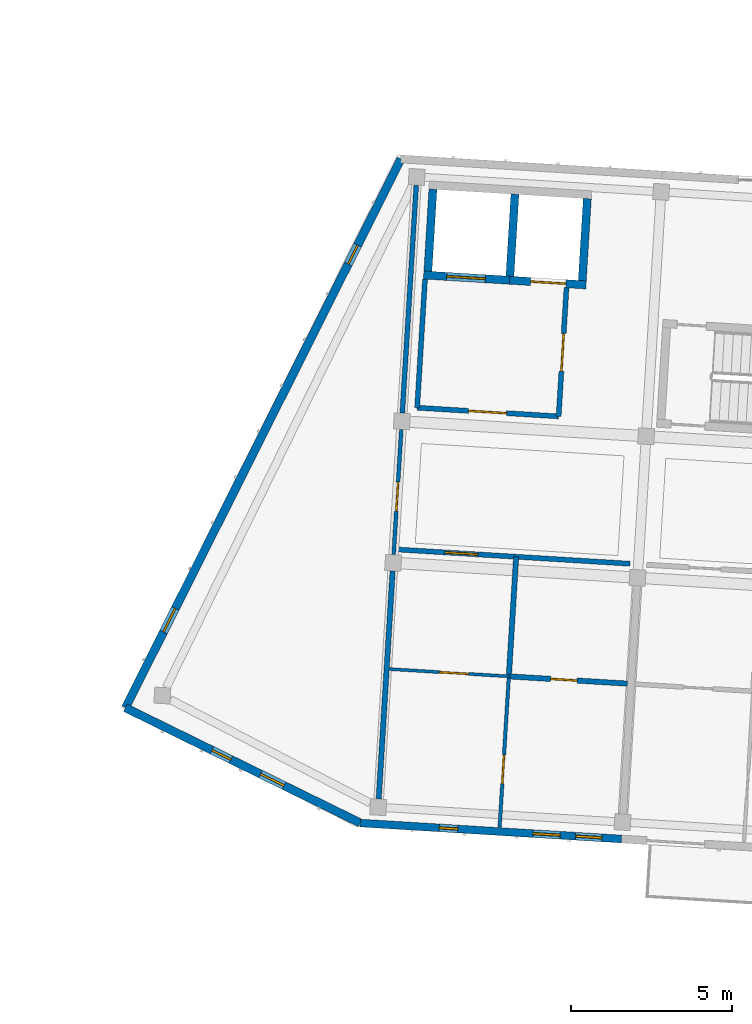
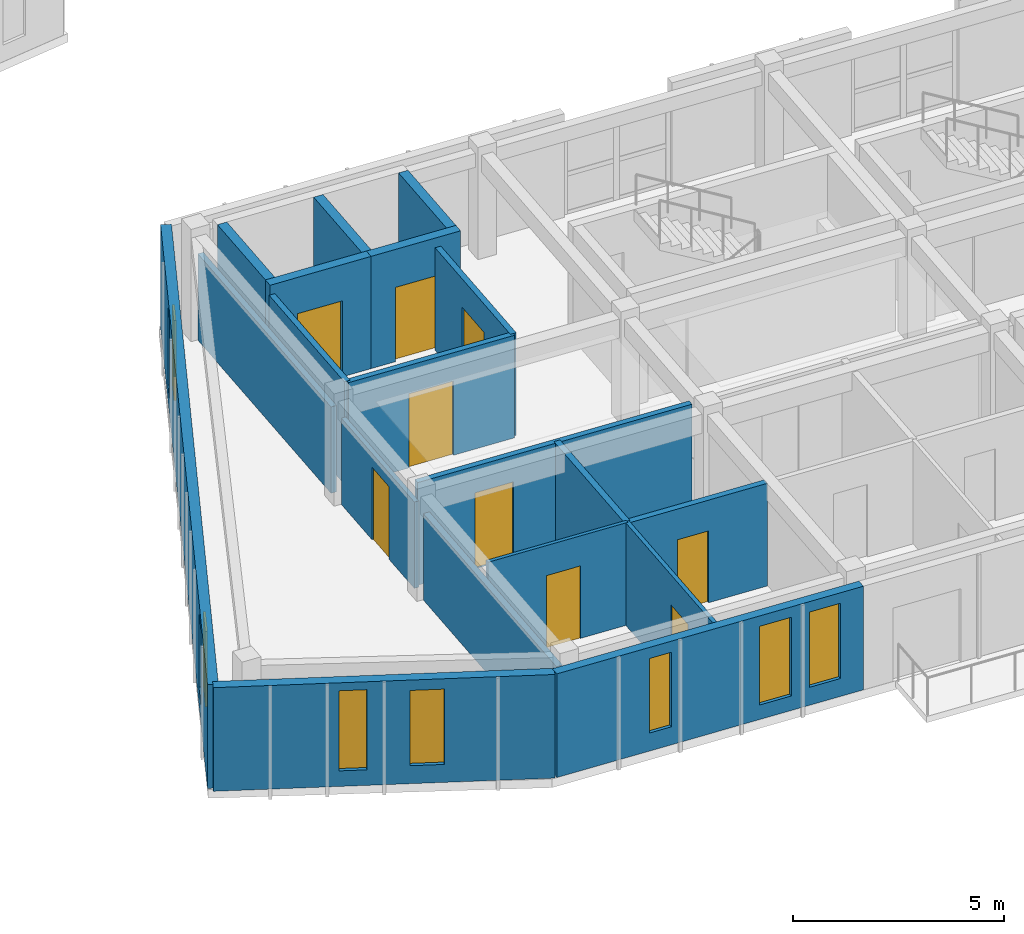
# One storey, part 20 of 68: 19 walls, 9 doors, 7 windows, 16 openings.
"""IFC4 building model written with IfcOpenShell, lengths in metres."""

from ifc_helpers import new_model, si_unit, direction, frame, frame_2d, origin, place, context, subcontext, project, spatial, rectangle, extrude, material, layer, layer_set, type_object, element, fill, save


model = new_model("IFC4")

# Units and contexts
model_context = context("Model", 3, precision=1e-05, world=origin(), true_north=direction((0.0, 1.0)))
body_context = subcontext(model_context, "Body", "Model", "MODEL_VIEW")
ifc_project = project(units=[si_unit("LENGTHUNIT", "METRE"), si_unit("AREAUNIT", "SQUARE_METRE"), si_unit("VOLUMEUNIT", "CUBIC_METRE"), si_unit("PLANEANGLEUNIT", "RADIAN"), si_unit("MASSUNIT", "GRAM", prefix="KILO")], contexts=[model_context])

# Site, building, storey
site_placement = place(None, origin())
site = spatial("IfcSite", under=ifc_project, at=site_placement, CompositionType="ELEMENT")
building_placement = place(site_placement, origin())
building = spatial("IfcBuilding", under=site, at=building_placement, Name="Kestramere Prow Commons", CompositionType="ELEMENT")
storey_placement = place(building_placement, frame((0.0, 0.0, 18.14990234375)))
storey = spatial("IfcBuildingStorey", under=building, at=storey_placement, Name="L05", CompositionType="ELEMENT", Elevation=18.14990234375)

# Wall, openings, windows
ifc_material_1 = material(Name="Weathered Zinc-Titanium Standing-Seam Cladding")
ifc_layer_1 = layer(ifc_material_1, 0.260009765625)
ifc_layer_set_1 = layer_set([ifc_layer_1], Name="Weathered Zinc-Titanium Standing-Seam Cladding")
wall_type_1 = type_object("IfcWallType", Name="EW-PROW-260", PredefinedType="SOLIDWALL", material=ifc_layer_set_1)
wall_1_placement = place(storey_placement, frame((58.94384765625, 46.008056640625, 0.0), z_axis=(0.0, 0.0, 1.0), x_axis=(-0.897775054318, 0.440454256246, 0.0)))
wall_1 = element("IfcWall", 1, at=wall_1_placement, inside=storey, type_object=wall_type_1, Name="Block C L05 PRW-S Facet Wall", PredefinedType="SOLIDWALL", context=body_context, shape_type="SweptSolid", body=[
    extrude(rectangle(XDim=8.120361328125, YDim=0.260009765625, at=frame_2d((4.06005859375, 0.0))), origin(), (0.0, 0.0, 1.0), 3.0),
])
opening_1_placement = place(wall_1_placement, frame((2.6298828125, 0.0, 0.52001953125)))
opening_1 = element("IfcOpeningElement", 2, at=opening_1_placement, cuts=wall_1, Name="Opening WN-13", PredefinedType="OPENING", context=body_context, shape_type="SweptSolid", body=[
    extrude(rectangle(XDim=0.820068359375, YDim=2.179931640625, at=frame_2d((0.41015625, 1.08984375))), frame((0.0, 0.14501953125, 0.0), z_axis=(0.0, -1.0, 0.0), x_axis=(1.0, 0.0, 0.0)), (0.0, 0.0, 1.0), 0.2900390625),
])
opening_2_placement = place(wall_1_placement, frame((4.470458984375, 0.0, 0.449951171875)))
opening_2 = element("IfcOpeningElement", 3, at=opening_2_placement, cuts=wall_1, Name="Opening WN-05", PredefinedType="OPENING", context=body_context, shape_type="SweptSolid", body=[
    extrude(rectangle(XDim=0.659912109375, YDim=2.320068359375, at=frame_2d((0.330078125, 1.16015625))), frame((0.0, 0.14501953125, 0.0), z_axis=(0.0, -1.0, 0.0), x_axis=(1.0, 0.0, 0.0)), (0.0, 0.0, 1.0), 0.2900390625),
])
ifc_material_2 = material(Name="Low-E Laminated Double Glazing", Category="glass")
window_type_1 = type_object("IfcWindowType", Name="WN-NAR-660A", PartitioningType="SINGLE_PANEL", PredefinedType="WINDOW", material=ifc_material_2)
window_1_placement = place(opening_2_placement, origin())
window_1 = element("IfcWindow", 4, at=window_1_placement, inside=storey, type_object=window_type_1, Name="WN-C-L05-PRW-S-1", OverallHeight=2.320068359375, OverallWidth=0.659912109375, PartitioningType="SINGLE_PANEL", PredefinedType="WINDOW", context=body_context, shape_type="SweptSolid", body=[
    extrude(rectangle(XDim=0.659912109375, YDim=2.320068359375, at=frame_2d((0.330078125, 1.16015625))), frame((0.0, 0.030029296875, 0.0), z_axis=(0.0, -1.0, 0.0), x_axis=(1.0, 0.0, 0.0)), (0.0, 0.0, 1.0), 0.06005859375),
])
fill(opening_2, window_1)
window_type_2 = type_object("IfcWindowType", Name="WN-NAR-820A", PartitioningType="DOUBLE_PANEL_VERTICAL", PredefinedType="WINDOW", material=ifc_material_2)
window_2_placement = place(opening_1_placement, origin())
window_2 = element("IfcWindow", 5, at=window_2_placement, inside=storey, type_object=window_type_2, Name="WN-C-L05-PRW-S-0", OverallHeight=2.179931640625, OverallWidth=0.820068359375, PartitioningType="SINGLE_PANEL", PredefinedType="WINDOW", context=body_context, shape_type="SweptSolid", body=[
    extrude(rectangle(XDim=0.820068359375, YDim=2.179931640625, at=frame_2d((0.41015625, 1.08984375))), frame((0.0, 0.030029296875, 0.0), z_axis=(0.0, -1.0, 0.0), x_axis=(1.0, 0.0, 0.0)), (0.0, 0.0, 1.0), 0.06005859375),
])
fill(opening_1, window_2)

wall_2_placement = place(storey_placement, frame((51.653564453125, 49.584716796875, 0.0), z_axis=(0.0, 0.0, 1.0), x_axis=(0.448621989068, 0.893721607059, 0.0)))
wall_2 = element("IfcWall", 6, at=wall_2_placement, inside=storey, type_object=wall_type_1, Name="Block C L05 PRW-N Facet Wall", PredefinedType="SOLIDWALL", context=body_context, shape_type="SweptSolid", body=[
    extrude(rectangle(XDim=19.060546875, YDim=0.260009765625, at=frame_2d((9.5302734375, 0.0))), origin(), (0.0, 0.0, 1.0), 3.0),
])
opening_3_placement = place(wall_2_placement, frame((2.6298828125, 0.0, 0.52001953125)))
opening_3 = element("IfcOpeningElement", 7, at=opening_3_placement, cuts=wall_2, Name="Opening WN-13", PredefinedType="OPENING", context=body_context, shape_type="SweptSolid", body=[
    extrude(rectangle(XDim=0.820068359375, YDim=2.179931640625, at=frame_2d((0.41015625, 1.08984375))), frame((0.0, 0.14501953125, 0.0), z_axis=(0.0, -1.0, 0.0), x_axis=(1.0, 0.0, 0.0)), (0.0, 0.0, 1.0), 0.2900390625),
])
opening_4_placement = place(wall_2_placement, frame((15.410400390625, 0.0, 0.449951171875)))
opening_4 = element("IfcOpeningElement", 8, at=opening_4_placement, cuts=wall_2, Name="Opening WN-05", PredefinedType="OPENING", context=body_context, shape_type="SweptSolid", body=[
    extrude(rectangle(XDim=0.659912109375, YDim=2.320068359375, at=frame_2d((0.330078125, 1.16015625))), frame((0.0, 0.14501953125, 0.0), z_axis=(0.0, -1.0, 0.0), x_axis=(1.0, 0.0, 0.0)), (0.0, 0.0, 1.0), 0.2900390625),
])
window_3_placement = place(opening_4_placement, origin())
window_3 = element("IfcWindow", 9, at=window_3_placement, inside=storey, type_object=window_type_1, Name="WN-C-L05-PRW-N-1", OverallHeight=2.320068359375, OverallWidth=0.659912109375, PartitioningType="SINGLE_PANEL", PredefinedType="WINDOW", context=body_context, shape_type="SweptSolid", body=[
    extrude(rectangle(XDim=0.659912109375, YDim=2.320068359375, at=frame_2d((0.330078125, 1.16015625))), frame((0.0, 0.030029296875, 0.0), z_axis=(0.0, -1.0, 0.0), x_axis=(1.0, 0.0, 0.0)), (0.0, 0.0, 1.0), 0.06005859375),
])
fill(opening_4, window_3)
window_4_placement = place(opening_3_placement, origin())
window_4 = element("IfcWindow", 10, at=window_4_placement, inside=storey, type_object=window_type_2, Name="WN-C-L05-PRW-N-0", OverallHeight=2.179931640625, OverallWidth=0.820068359375, PartitioningType="SINGLE_PANEL", PredefinedType="WINDOW", context=body_context, shape_type="SweptSolid", body=[
    extrude(rectangle(XDim=0.820068359375, YDim=2.179931640625, at=frame_2d((0.41015625, 1.08984375))), frame((0.0, 0.030029296875, 0.0), z_axis=(0.0, -1.0, 0.0), x_axis=(1.0, 0.0, 0.0)), (0.0, 0.0, 1.0), 0.06005859375),
])
fill(opening_3, window_4)

ifc_material_3 = material(Name="Fluoropolymer Standing-Seam Zinc-Aluminium Cladding", Category="aluminium")
ifc_layer_2 = layer(ifc_material_3, 0.239990234375)
ifc_layer_set_2 = layer_set([ifc_layer_2], Name="Fluoropolymer Standing-Seam Zinc-Aluminium Cladding")
wall_type_2 = type_object("IfcWallType", Name="EW-SEAM-240", PredefinedType="SOLIDWALL", material=ifc_layer_set_2)
wall_3_placement = place(storey_placement, frame((67.0537109375, 45.511962890625, 0.0), z_axis=(0.0, 0.0, 1.0), x_axis=(-0.998134248939, 0.061057522844, 0.0)))
wall_3 = element("IfcWall", 11, at=wall_3_placement, inside=storey, type_object=wall_type_2, Name="Block C L05 South Standing-Seam Wall 1", PredefinedType="SOLIDWALL", context=body_context, shape_type="SweptSolid", body=[
    extrude(rectangle(XDim=8.125, YDim=0.239990234375, at=frame_2d((4.0625, 0.0))), origin(), (0.0, 0.0, 1.0), 3.0),
])
opening_5_placement = place(wall_3_placement, frame((0.610107421875, 0.0, 0.52001953125)))
opening_5 = element("IfcOpeningElement", 12, at=opening_5_placement, cuts=wall_3, Name="Opening WN-13", PredefinedType="OPENING", context=body_context, shape_type="SweptSolid", body=[
    extrude(rectangle(XDim=0.820068359375, YDim=2.179931640625, at=frame_2d((0.41015625, 1.08984375))), frame((0.0, 0.135009765625, 0.0), z_axis=(0.0, -1.0, 0.0), x_axis=(1.0, 0.0, 0.0)), (0.0, 0.0, 1.0), 0.27001953125),
])
opening_6_placement = place(wall_3_placement, frame((1.912109375, 0.0, 0.419921875)))
opening_6 = element("IfcOpeningElement", 13, at=opening_6_placement, cuts=wall_3, Name="Opening WN-14", PredefinedType="OPENING", context=body_context, shape_type="SweptSolid", body=[
    extrude(rectangle(XDim=0.840087890625, YDim=2.280029296875, at=frame_2d((0.419921875, 1.14013671875))), frame((0.0, 0.135009765625, 0.0), z_axis=(0.0, -1.0, 0.0), x_axis=(1.0, 0.0, 0.0)), (0.0, 0.0, 1.0), 0.27001953125),
])
opening_7_placement = place(wall_3_placement, frame((5.0908203125, 0.0, 0.52001953125)))
opening_7 = element("IfcOpeningElement", 14, at=opening_7_placement, cuts=wall_3, Name="Opening WN-01", PredefinedType="OPENING", context=body_context, shape_type="SweptSolid", body=[
    extrude(rectangle(XDim=0.580078125, YDim=2.159912109375, at=frame_2d((0.2900390625, 1.080078125))), frame((0.0, 0.135009765625, 0.0), z_axis=(0.0, -1.0, 0.0), x_axis=(1.0, 0.0, 0.0)), (0.0, 0.0, 1.0), 0.27001953125),
])
window_type_3 = type_object("IfcWindowType", Name="WN-NAR-580A", PartitioningType="SINGLE_PANEL", PredefinedType="WINDOW", material=ifc_material_2)
window_5_placement = place(opening_7_placement, origin())
window_5 = element("IfcWindow", 15, at=window_5_placement, inside=storey, type_object=window_type_3, Name="WN-C-L05-S-0-10", OverallHeight=2.159912109375, OverallWidth=0.580078125, PartitioningType="SINGLE_PANEL", PredefinedType="WINDOW", context=body_context, shape_type="SweptSolid", body=[
    extrude(rectangle(XDim=0.580078125, YDim=2.159912109375, at=frame_2d((0.2900390625, 1.080078125))), frame((0.0, 0.030029296875, 0.0), z_axis=(0.0, -1.0, 0.0), x_axis=(1.0, 0.0, 0.0)), (0.0, 0.0, 1.0), 0.06005859375),
])
fill(opening_7, window_5)
window_6_placement = place(opening_5_placement, origin())
window_6 = element("IfcWindow", 16, at=window_6_placement, inside=storey, type_object=window_type_2, Name="WN-C-L05-S-0-00", OverallHeight=2.179931640625, OverallWidth=0.820068359375, PartitioningType="SINGLE_PANEL", PredefinedType="WINDOW", context=body_context, shape_type="SweptSolid", body=[
    extrude(rectangle(XDim=0.820068359375, YDim=2.179931640625, at=frame_2d((0.41015625, 1.08984375))), frame((0.0, 0.030029296875, 0.0), z_axis=(0.0, -1.0, 0.0), x_axis=(1.0, 0.0, 0.0)), (0.0, 0.0, 1.0), 0.06005859375),
])
fill(opening_5, window_6)
window_type_4 = type_object("IfcWindowType", Name="WN-NAR-840A", PartitioningType="DOUBLE_PANEL_VERTICAL", PredefinedType="WINDOW", material=ifc_material_2)
window_7_placement = place(opening_6_placement, origin())
window_7 = element("IfcWindow", 17, at=window_7_placement, inside=storey, type_object=window_type_4, Name="WN-C-L05-S-0-01", OverallHeight=2.280029296875, OverallWidth=0.840087890625, PartitioningType="SINGLE_PANEL", PredefinedType="WINDOW", context=body_context, shape_type="SweptSolid", body=[
    extrude(rectangle(XDim=0.840087890625, YDim=2.280029296875, at=frame_2d((0.419921875, 1.14013671875))), frame((0.0, 0.030029296875, 0.0), z_axis=(0.0, -1.0, 0.0), x_axis=(1.0, 0.0, 0.0)), (0.0, 0.0, 1.0), 0.06005859375),
])
fill(opening_6, window_7)

# Wall, opening, door
ifc_material_4 = material(Name="Concrete C40/50", Category="concrete")
ifc_layer_3 = layer(ifc_material_4, 0.25)
ifc_layer_set_3 = layer_set([ifc_layer_3], Name="Concrete C40/50")
wall_type_3 = type_object("IfcWallType", Name="W-CORE-250", PredefinedType="SHEAR", material=ifc_layer_set_3)
wall_4_placement = place(storey_placement, frame((60.9111328125, 63.019775390625, 0.0), z_axis=(0.0, 0.0, 1.0), x_axis=(0.998134099905, -0.061059959111, 0.0)))
wall_4 = element("IfcWall", 18, at=wall_4_placement, inside=storey, type_object=wall_type_3, Name="Block C L05 Fire Lift Shaft Front Wall", PredefinedType="SHEAR", context=body_context, shape_type="SweptSolid", body=[
    extrude(rectangle(XDim=2.6748046875, YDim=0.25, at=frame_2d((1.33740234375, 0.0))), origin(), (0.0, 0.0, 1.0), 3.25),
])
opening_8_placement = place(wall_4_placement, frame((0.719970703125, 0.0, 0.0)))
opening_8 = element("IfcOpeningElement", 19, at=opening_8_placement, cuts=wall_4, Name="Opening LD-02", PredefinedType="OPENING", context=body_context, shape_type="SweptSolid", body=[
    extrude(rectangle(XDim=1.199951171875, YDim=2.199951171875, at=frame_2d((0.60009765625, 1.10009765625))), frame((0.0, 0.139892578125, 0.0), z_axis=(0.0, -1.0, 0.0), x_axis=(1.0, 0.0, 0.0)), (0.0, 0.0, 1.0), 0.280029296875),
])
ifc_material_5 = material(Name="Brushed Stainless Steel 316", Category="steel")
door_type_1 = type_object("IfcDoorType", Name="LD-02", OperationType="DOUBLE_DOOR_SLIDING", PredefinedType="DOOR", material=ifc_material_5)
door_1_placement = place(opening_8_placement, origin())
door_1 = element("IfcDoor", 20, at=door_1_placement, inside=storey, type_object=door_type_1, Name="FL-C1 L05 Lift Landing Door", OperationType="DOUBLE_DOOR_SLIDING", OverallHeight=2.199951171875, OverallWidth=1.199951171875, PredefinedType="DOOR", context=body_context, shape_type="SweptSolid", body=[
    extrude(rectangle(XDim=1.199951171875, YDim=2.199951171875, at=frame_2d((0.60009765625, 1.10009765625))), frame((0.0, 0.02490234375, 0.0), z_axis=(0.0, -1.0, 0.0), x_axis=(1.0, 0.0, 0.0)), (0.0, 0.0, 1.0), 0.050048828125),
])
fill(opening_8, door_1)

wall_5_placement = place(storey_placement, frame((63.5810546875, 62.8564453125, 0.0), z_axis=(0.0, 0.0, 1.0), x_axis=(0.998134103342, -0.061059902923, 0.0)))
wall_5 = element("IfcWall", 21, at=wall_5_placement, inside=storey, type_object=wall_type_3, Name="Block C L05 Passenger Lift Shaft Front Wall", PredefinedType="SHEAR", context=body_context, shape_type="SweptSolid", body=[
    extrude(rectangle(XDim=2.375, YDim=0.25, at=frame_2d((1.1875, 0.0))), origin(), (0.0, 0.0, 1.0), 3.25),
])
opening_9_placement = place(wall_5_placement, frame((0.64990234375, 0.0, 0.0)))
opening_9 = element("IfcOpeningElement", 22, at=opening_9_placement, cuts=wall_5, Name="Opening LD-01", PredefinedType="OPENING", context=body_context, shape_type="SweptSolid", body=[
    extrude(rectangle(XDim=1.10009765625, YDim=2.14990234375, at=frame_2d((0.550048828125, 1.074951171875))), frame((0.0, 0.139892578125, 0.0), z_axis=(0.0, -1.0, 0.0), x_axis=(1.0, 0.0, 0.0)), (0.0, 0.0, 1.0), 0.280029296875),
])
ifc_material_6 = material(Name="Brushed Stainless Steel 304", Category="steel")
door_type_2 = type_object("IfcDoorType", Name="LD-01", OperationType="DOUBLE_DOOR_SLIDING", PredefinedType="DOOR", material=ifc_material_6)
door_2_placement = place(opening_9_placement, origin())
door_2 = element("IfcDoor", 23, at=door_2_placement, inside=storey, type_object=door_type_2, Name="PL-C2 L05 Lift Landing Door", OperationType="DOUBLE_DOOR_SLIDING", OverallHeight=2.14990234375, OverallWidth=1.10009765625, PredefinedType="DOOR", context=body_context, shape_type="SweptSolid", body=[
    extrude(rectangle(XDim=1.10009765625, YDim=2.14990234375, at=frame_2d((0.550048828125, 1.074951171875))), frame((0.0, 0.02490234375, 0.0), z_axis=(0.0, -1.0, 0.0), x_axis=(1.0, 0.0, 0.0)), (0.0, 0.0, 1.0), 0.050048828125),
])
fill(opening_9, door_2)

# Walls
wall_6_placement = place(storey_placement, frame((61.04345703125, 63.13671875, 0.0), z_axis=(0.0, 0.0, 1.0), x_axis=(0.061078919587, 0.998132939834, 0.0)))
element("IfcWall", 24, at=wall_6_placement, inside=storey, type_object=wall_type_3, Name="Block C L05 Lift Core Side Wall L", PredefinedType="SHEAR", context=body_context, shape_type="SweptSolid", body=[
    extrude(rectangle(XDim=2.55029296875, YDim=0.25, at=frame_2d((1.275146484375, 0.0))), origin(), (0.0, 0.0, 1.0), 3.25),
])
wall_7_placement = place(storey_placement, frame((63.5888671875, 62.981201171875, 0.0), z_axis=(0.0, 0.0, 1.0), x_axis=(0.060989368901, 0.998138415692, 0.0)))
element("IfcWall", 25, at=wall_7_placement, inside=storey, type_object=wall_type_3, Name="Block C L05 Lift Core Side Wall M", PredefinedType="SHEAR", context=body_context, shape_type="SweptSolid", body=[
    extrude(rectangle(XDim=2.5498046875, YDim=0.25, at=frame_2d((1.27490234375, 0.0))), origin(), (0.0, 0.0, 1.0), 3.25),
])
wall_8_placement = place(storey_placement, frame((65.83447265625, 62.84375, 0.0), z_axis=(0.0, 0.0, 1.0), x_axis=(0.061084756616, 0.998132582631, 0.0)))
element("IfcWall", 26, at=wall_8_placement, inside=storey, type_object=wall_type_3, Name="Block C L05 Lift Core Side Wall R", PredefinedType="SHEAR", context=body_context, shape_type="SweptSolid", body=[
    extrude(rectangle(XDim=2.550048828125, YDim=0.25, at=frame_2d((1.27490234375, 0.0))), origin(), (0.0, 0.0, 1.0), 3.25),
])

# Wall, opening, door
ifc_material_7 = material(Name="Fire-Rated Calcium Silicate Wall")
ifc_layer_4 = layer(ifc_material_7, 0.155029296875)
ifc_layer_set_4 = layer_set([ifc_layer_4], Name="Fire-Rated Calcium Silicate Wall")
wall_type_4 = type_object("IfcWallType", Name="W-FIRE-150", PredefinedType="PARTITIONING", material=ifc_layer_set_4)
wall_9_placement = place(storey_placement, frame((60.709228515625, 58.8994140625, 0.0), z_axis=(0.0, 0.0, 1.0), x_axis=(0.998132276607, -0.061089756882, 0.0)))
wall_9 = element("IfcWall", 27, at=wall_9_placement, inside=storey, type_object=wall_type_4, Name="Interior Partition PW-C-L05-FFL-S", PredefinedType="PARTITIONING", context=body_context, shape_type="SweptSolid", body=[
    extrude(rectangle(XDim=4.400146484375, YDim=0.155029296875, at=frame_2d((2.2001953125, 0.0))), origin(), (0.0, 0.0, 1.0), 2.97021484375),
])
opening_10_placement = place(wall_9_placement, frame((1.60009765625, 0.0, 0.0)))
opening_10 = element("IfcOpeningElement", 28, at=opening_10_placement, cuts=wall_9, Name="Opening ID-03", PredefinedType="OPENING", context=body_context, shape_type="SweptSolid", body=[
    extrude(rectangle(XDim=1.179931640625, YDim=2.14990234375, at=frame_2d((0.58984375, 1.074951171875))), frame((0.0, 0.092529296875, 0.0), z_axis=(0.0, -1.0, 0.0), x_axis=(1.0, 0.0, 0.0)), (0.0, 0.0, 1.0), 0.18505859375),
])
ifc_material_8 = material(Name="Fire-Rated Glazed Smoke-Stop Door")
door_type_3 = type_object("IfcDoorType", Name="FD-LB-01", OperationType="NOTDEFINED", PredefinedType="DOOR", material=ifc_material_8)
door_3_placement = place(opening_10_placement, origin())
door_3 = element("IfcDoor", 29, at=door_3_placement, inside=storey, type_object=door_type_3, Name="Interior Door DR-C-L05-FFL", OperationType="SINGLE_SWING_RIGHT", OverallHeight=2.14990234375, OverallWidth=1.179931640625, PredefinedType="DOOR", context=body_context, shape_type="SweptSolid", body=[
    extrude(rectangle(XDim=1.179931640625, YDim=2.14990234375, at=frame_2d((0.58984375, 1.074951171875))), frame((0.0, 0.02490234375, 0.0), z_axis=(0.0, -1.0, 0.0), x_axis=(1.0, 0.0, 0.0)), (0.0, 0.0, 1.0), 0.050048828125),
])
fill(opening_10, door_3)

# Wall
wall_10_placement = place(storey_placement, frame((60.709228515625, 58.8994140625, 0.0), z_axis=(0.0, 0.0, 1.0), x_axis=(0.061036844229, 0.998135513669, 0.0)))
element("IfcWall", 30, at=wall_10_placement, inside=storey, type_object=wall_type_4, Name="Interior Partition PW-C-L05-FFL-W", PredefinedType="PARTITIONING", context=body_context, shape_type="SweptSolid", body=[
    extrude(rectangle(XDim=4.0, YDim=0.155029296875, at=frame_2d((2.0, 0.0))), origin(), (0.0, 0.0, 1.0), 2.97021484375),
])

# Wall, opening, door
wall_11_placement = place(storey_placement, frame((65.10107421875, 58.630615234375, 0.0), z_axis=(0.0, 0.0, 1.0), x_axis=(0.061033125904, 0.99813574104, 0.0)))
wall_11 = element("IfcWall", 31, at=wall_11_placement, inside=storey, type_object=wall_type_4, Name="Interior Partition PW-C-L05-FFL-E", PredefinedType="PARTITIONING", context=body_context, shape_type="SweptSolid", body=[
    extrude(rectangle(XDim=4.000244140625, YDim=0.155029296875, at=frame_2d((2.0, 0.0))), origin(), (0.0, 0.0, 1.0), 2.97021484375),
])
opening_11_placement = place(wall_11_placement, frame((1.39990234375, 0.0, 0.0)))
opening_11 = element("IfcOpeningElement", 32, at=opening_11_placement, cuts=wall_11, Name="Opening ID-03", PredefinedType="OPENING", context=body_context, shape_type="SweptSolid", body=[
    extrude(rectangle(XDim=1.179931640625, YDim=2.14990234375, at=frame_2d((0.58984375, 1.074951171875))), frame((0.0, 0.092529296875, 0.0), z_axis=(0.0, -1.0, 0.0), x_axis=(1.0, 0.0, 0.0)), (0.0, 0.0, 1.0), 0.18505859375),
])
door_4_placement = place(opening_11_placement, origin())
door_4 = element("IfcDoor", 33, at=door_4_placement, inside=storey, type_object=door_type_3, Name="Interior Door DR-C-L05-FFL-PL", OperationType="SINGLE_SWING_LEFT", OverallHeight=2.14990234375, OverallWidth=1.179931640625, PredefinedType="DOOR", context=body_context, shape_type="SweptSolid", body=[
    extrude(rectangle(XDim=1.179931640625, YDim=2.14990234375, at=frame_2d((0.58984375, 1.074951171875))), frame((0.0, 0.02490234375, 0.0), z_axis=(0.0, -1.0, 0.0), x_axis=(1.0, 0.0, 0.0)), (0.0, 0.0, 1.0), 0.050048828125),
])
fill(opening_11, door_4)

wall_12_placement = place(storey_placement, frame((60.0595703125, 54.500732421875, 0.0), z_axis=(0.0, 0.0, 1.0), x_axis=(0.998134543433, -0.06105270843, 0.0)))
wall_12 = element("IfcWall", 34, at=wall_12_placement, inside=storey, type_object=wall_type_4, Name="Interior Partition PW-C-L05-CS-0", PredefinedType="PARTITIONING", context=body_context, shape_type="SweptSolid", body=[
    extrude(rectangle(XDim=7.27001953125, YDim=0.155029296875, at=frame_2d((3.635009765625, 0.0))), origin(), (0.0, 0.0, 1.0), 2.97021484375),
])
opening_12_placement = place(wall_12_placement, frame((1.52001953125, 0.0, 0.0)))
opening_12 = element("IfcOpeningElement", 35, at=opening_12_placement, cuts=wall_12, Name="Opening ID-05", PredefinedType="OPENING", context=body_context, shape_type="SweptSolid", body=[
    extrude(rectangle(XDim=1.02001953125, YDim=2.199951171875, at=frame_2d((0.510009765625, 1.10009765625))), frame((0.0, 0.092529296875, 0.0), z_axis=(0.0, -1.0, 0.0), x_axis=(1.0, 0.0, 0.0)), (0.0, 0.0, 1.0), 0.18505859375),
])
ifc_material_9 = material(Name="Hardwood Fire-Rated Flat Entrance Door", Category="wood")
door_type_4 = type_object("IfcDoorType", Name="FD-ENT-02", OperationType="NOTDEFINED", PredefinedType="DOOR", material=ifc_material_9)
door_5_placement = place(opening_12_placement, origin())
door_5 = element("IfcDoor", 36, at=door_5_placement, inside=storey, type_object=door_type_4, Name="Interior Door DR-C-L05-ENT-S0", OperationType="SINGLE_SWING_RIGHT", OverallHeight=2.199951171875, OverallWidth=1.02001953125, PredefinedType="DOOR", context=body_context, shape_type="SweptSolid", body=[
    extrude(rectangle(XDim=1.02001953125, YDim=2.199951171875, at=frame_2d((0.510009765625, 1.10009765625))), frame((0.0, 0.02490234375, 0.0), z_axis=(0.0, -1.0, 0.0), x_axis=(1.0, 0.0, 0.0)), (0.0, 0.0, 1.0), 0.050048828125),
])
fill(opening_12, door_5)

ifc_material_10 = material(Name="Gypsum Acoustic Drywall")
ifc_layer_5 = layer(ifc_material_10, 0.110107421875)
ifc_layer_set_5 = layer_set([ifc_layer_5], Name="Gypsum Acoustic Drywall")
wall_type_5 = type_object("IfcWallType", Name="W-PART-110", PredefinedType="PARTITIONING", material=ifc_layer_set_5)
wall_13_placement = place(storey_placement, frame((63.26904296875, 45.878662109375, 0.0), z_axis=(0.0, 0.0, 1.0), x_axis=(0.061059262019, 0.998134142549, 0.0)))
wall_13 = element("IfcWall", 37, at=wall_13_placement, inside=storey, type_object=wall_type_5, Name="Interior Partition PW-C-L05-LB-S0", PredefinedType="PARTITIONING", context=body_context, shape_type="SweptSolid", body=[
    extrude(rectangle(XDim=4.690185546875, YDim=0.110107421875, at=frame_2d((2.34521484375, 0.0))), origin(), (0.0, 0.0, 1.0), 2.97021484375),
])
opening_13_placement = place(wall_13_placement, frame((1.35009765625, 0.0, 0.0)))
opening_13 = element("IfcOpeningElement", 38, at=opening_13_placement, cuts=wall_13, Name="Opening ID-08", PredefinedType="OPENING", context=body_context, shape_type="SweptSolid", body=[
    extrude(rectangle(XDim=0.89990234375, YDim=2.10009765625, at=frame_2d((0.449951171875, 1.050048828125))), frame((0.0, 0.070068359375, 0.0), z_axis=(0.0, -1.0, 0.0), x_axis=(1.0, 0.0, 0.0)), (0.0, 0.0, 1.0), 0.14013671875),
])
ifc_material_11 = material(Name="Engineered Timber Flush Door", Category="wood")
door_type_5 = type_object("IfcDoorType", Name="D-RM-01", OperationType="NOTDEFINED", PredefinedType="DOOR", material=ifc_material_11)
door_6_placement = place(opening_13_placement, origin())
door_6 = element("IfcDoor", 39, at=door_6_placement, inside=storey, type_object=door_type_5, Name="Interior Door DR-C-L05-BED-S0", OperationType="SINGLE_SWING_LEFT", OverallHeight=2.10009765625, OverallWidth=0.89990234375, PredefinedType="DOOR", context=body_context, shape_type="SweptSolid", body=[
    extrude(rectangle(XDim=0.89990234375, YDim=2.10009765625, at=frame_2d((0.449951171875, 1.050048828125))), frame((0.0, 0.02490234375, 0.0), z_axis=(0.0, -1.0, 0.0), x_axis=(1.0, 0.0, 0.0)), (0.0, 0.0, 1.0), 0.050048828125),
])
fill(opening_13, door_6)

ifc_material_12 = material(Name="Lightweight Blockwork and Plaster", Category="masonry")
ifc_layer_6 = layer(ifc_material_12, 0.1201171875)
ifc_layer_set_6 = layer_set([ifc_layer_6], Name="Lightweight Blockwork and Plaster")
wall_type_6 = type_object("IfcWallType", Name="W-PART-120", PredefinedType="PARTITIONING", material=ifc_layer_set_6)
wall_14_placement = place(storey_placement, frame((59.979736328125, 54.345458984375, 0.0), z_axis=(0.0, 0.0, 1.0), x_axis=(0.061101107425, 0.998131581843, 0.0)))
wall_14 = element("IfcWall", 40, at=wall_14_placement, inside=storey, type_object=wall_type_6, Name="Interior Partition PW-C-L05-PROW-ACC", PredefinedType="PARTITIONING", context=body_context, shape_type="SweptSolid", body=[
    extrude(rectangle(XDim=3.8798828125, YDim=0.1201171875, at=frame_2d((1.93994140625, 0.0))), origin(), (0.0, 0.0, 1.0), 2.5),
])
opening_14_placement = place(wall_14_placement, frame((1.35009765625, 0.0, 0.0)))
opening_14 = element("IfcOpeningElement", 41, at=opening_14_placement, cuts=wall_14, Name="Opening ID-08", PredefinedType="OPENING", context=body_context, shape_type="SweptSolid", body=[
    extrude(rectangle(XDim=0.89990234375, YDim=2.10009765625, at=frame_2d((0.449951171875, 1.050048828125))), frame((0.0, 0.074951171875, 0.0), z_axis=(0.0, -1.0, 0.0), x_axis=(1.0, 0.0, 0.0)), (0.0, 0.0, 1.0), 0.150146484375),
])
door_7_placement = place(opening_14_placement, origin())
door_7 = element("IfcDoor", 42, at=door_7_placement, inside=storey, type_object=door_type_5, Name="Interior Door DR-C-L05-PROW", OperationType="SINGLE_SWING_LEFT", OverallHeight=2.10009765625, OverallWidth=0.89990234375, PredefinedType="DOOR", context=body_context, shape_type="SweptSolid", body=[
    extrude(rectangle(XDim=0.89990234375, YDim=2.10009765625, at=frame_2d((0.449951171875, 1.050048828125))), frame((0.0, 0.02490234375, 0.0), z_axis=(0.0, -1.0, 0.0), x_axis=(1.0, 0.0, 0.0)), (0.0, 0.0, 1.0), 0.050048828125),
])
fill(opening_14, door_7)

# Wall
ifc_material_13 = material(Name="Masonry Compartment Wall", Category="masonry")
ifc_layer_7 = layer(ifc_material_13, 0.14990234375)
ifc_layer_set_7 = layer_set([ifc_layer_7], Name="Masonry Compartment Wall")
wall_type_7 = type_object("IfcWallType", Name="W-PART-150", PredefinedType="PARTITIONING", material=ifc_layer_set_7)
wall_15_placement = place(storey_placement, frame((60.24853515625, 58.737060546875, 0.0), z_axis=(0.0, 0.0, 1.0), x_axis=(0.061034344288, 0.998135666539, 0.0)))
element("IfcWall", 43, at=wall_15_placement, inside=storey, type_object=wall_type_7, Name="Interior Partition PW-C-L05-PRW-N", PredefinedType="PARTITIONING", context=body_context, shape_type="SweptSolid", body=[
    extrude(rectangle(XDim=7.080078125, YDim=0.14990234375, at=frame_2d((3.5400390625, 0.0))), origin(), (0.0, 0.0, 1.0), 2.5),
])

# Wall, opening, door
ifc_layer_8 = layer(ifc_material_10, 0.094970703125)
ifc_layer_set_8 = layer_set([ifc_layer_8], Name="Gypsum Acoustic Drywall")
wall_type_8 = type_object("IfcWallType", Name="W-PART-95", PredefinedType="PARTITIONING", material=ifc_layer_set_8)
wall_16_placement = place(storey_placement, frame((59.852294921875, 50.786376953125, 0.0), z_axis=(0.0, 0.0, 1.0), x_axis=(0.998137662841, -0.061001688651, 0.0)))
wall_16 = element("IfcWall", 44, at=wall_16_placement, inside=storey, type_object=wall_type_8, Name="Interior Partition PW-C-L05-MIDS1-0", PredefinedType="PARTITIONING", context=body_context, shape_type="SweptSolid", body=[
    extrude(rectangle(XDim=3.7099609375, YDim=0.094970703125, at=frame_2d((1.85498046875, 0.0))), origin(), (0.0, 0.0, 1.0), 2.97021484375),
])
opening_15_placement = place(wall_16_placement, frame((1.550048828125, 0.0, 0.0)))
opening_15 = element("IfcOpeningElement", 45, at=opening_15_placement, cuts=wall_16, Name="Opening ID-08", PredefinedType="OPENING", context=body_context, shape_type="SweptSolid", body=[
    extrude(rectangle(XDim=0.89990234375, YDim=2.10009765625, at=frame_2d((0.449951171875, 1.050048828125))), frame((0.0, 0.0625, 0.0), z_axis=(0.0, -1.0, 0.0), x_axis=(1.0, 0.0, 0.0)), (0.0, 0.0, 1.0), 0.125),
])
door_8_placement = place(opening_15_placement, origin())
door_8 = element("IfcDoor", 46, at=door_8_placement, inside=storey, type_object=door_type_5, Name="Interior Door DR-C-L05-KL-S0", OperationType="SINGLE_SWING_RIGHT", OverallHeight=2.10009765625, OverallWidth=0.89990234375, PredefinedType="DOOR", context=body_context, shape_type="SweptSolid", body=[
    extrude(rectangle(XDim=0.89990234375, YDim=2.10009765625, at=frame_2d((0.449951171875, 1.050048828125))), frame((0.0, 0.02490234375, 0.0), z_axis=(0.0, -1.0, 0.0), x_axis=(1.0, 0.0, 0.0)), (0.0, 0.0, 1.0), 0.050048828125),
])
fill(opening_15, door_8)

# Wall
ifc_material_14 = material(Name="Waterproof Sanitary Masonry Wall", Category="masonry")
ifc_layer_9 = layer(ifc_material_14, 0.1650390625)
ifc_layer_set_9 = layer_set([ifc_layer_9], Name="Waterproof Sanitary Masonry Wall")
wall_type_9 = type_object("IfcWallType", Name="W-PLUMB-150", PredefinedType="PLUMBINGWALL", material=ifc_layer_set_9)
wall_17_placement = place(storey_placement, frame((59.515869140625, 46.759521484375, 0.0), z_axis=(0.0, 0.0, 1.0), x_axis=(0.061034344288, 0.998135666539, 0.0)))
element("IfcWall", 47, at=wall_17_placement, inside=storey, type_object=wall_type_9, Name="Interior Partition PW-C-L05-PRWW-S", PredefinedType="PLUMBINGWALL", context=body_context, shape_type="SweptSolid", body=[
    extrude(rectangle(XDim=7.080078125, YDim=0.1650390625, at=frame_2d((3.5400390625, 0.0))), origin(), (0.0, 0.0, 1.0), 2.5),
])

# Wall, opening, door
wall_18_placement = place(storey_placement, frame((63.555419921875, 50.56005859375, 0.0), z_axis=(0.0, 0.0, 1.0), x_axis=(0.998132682596, -0.061083123148, 0.0)))
wall_18 = element("IfcWall", 48, at=wall_18_placement, inside=storey, type_object=wall_type_9, Name="Interior Partition PW-C-L05-MIDS2-0", PredefinedType="PLUMBINGWALL", context=body_context, shape_type="SweptSolid", body=[
    extrude(rectangle(XDim=3.68505859375, YDim=0.1650390625, at=frame_2d((1.842529296875, 0.0))), origin(), (0.0, 0.0, 1.0), 2.97021484375),
])
opening_16_placement = place(wall_18_placement, frame((1.300048828125, 0.0, 0.0)))
opening_16 = element("IfcOpeningElement", 49, at=opening_16_placement, cuts=wall_18, Name="Opening ID-11", PredefinedType="OPENING", context=body_context, shape_type="SweptSolid", body=[
    extrude(rectangle(XDim=0.820068359375, YDim=2.080078125, at=frame_2d((0.41015625, 1.0400390625))), frame((0.0, 0.097412109375, 0.0), z_axis=(0.0, -1.0, 0.0), x_axis=(1.0, 0.0, 0.0)), (0.0, 0.0, 1.0), 0.195068359375),
])
ifc_material_15 = material(Name="Moisture-Resistant Timber Bathroom Door", Category="wood")
door_type_6 = type_object("IfcDoorType", Name="D-BT-01", OperationType="NOTDEFINED", PredefinedType="DOOR", material=ifc_material_15)
door_9_placement = place(opening_16_placement, origin())
door_9 = element("IfcDoor", 50, at=door_9_placement, inside=storey, type_object=door_type_6, Name="Interior Door DR-C-L05-BTH-S0", OperationType="SINGLE_SWING_LEFT", OverallHeight=2.080078125, OverallWidth=0.820068359375, PredefinedType="DOOR", context=body_context, shape_type="SweptSolid", body=[
    extrude(rectangle(XDim=0.820068359375, YDim=2.080078125, at=frame_2d((0.41015625, 1.0400390625))), frame((0.0, 0.02490234375, 0.0), z_axis=(0.0, -1.0, 0.0), x_axis=(1.0, 0.0, 0.0)), (0.0, 0.0, 1.0), 0.050048828125),
])
fill(opening_16, door_9)

# Wall
wall_19_placement = place(storey_placement, frame((63.555419921875, 50.56005859375, 0.0), z_axis=(0.0, 0.0, 1.0), x_axis=(0.061038003798, 0.998135442759, 0.0)))
element("IfcWall", 51, at=wall_19_placement, inside=storey, type_object=wall_type_9, Name="Interior Partition PW-C-L05-KB-S0", PredefinedType="PLUMBINGWALL", context=body_context, shape_type="SweptSolid", body=[
    extrude(rectangle(XDim=3.7197265625, YDim=0.1650390625, at=frame_2d((1.85986328125, 0.0))), origin(), (0.0, 0.0, 1.0), 2.97021484375),
])

save(model, "model.ifc")
